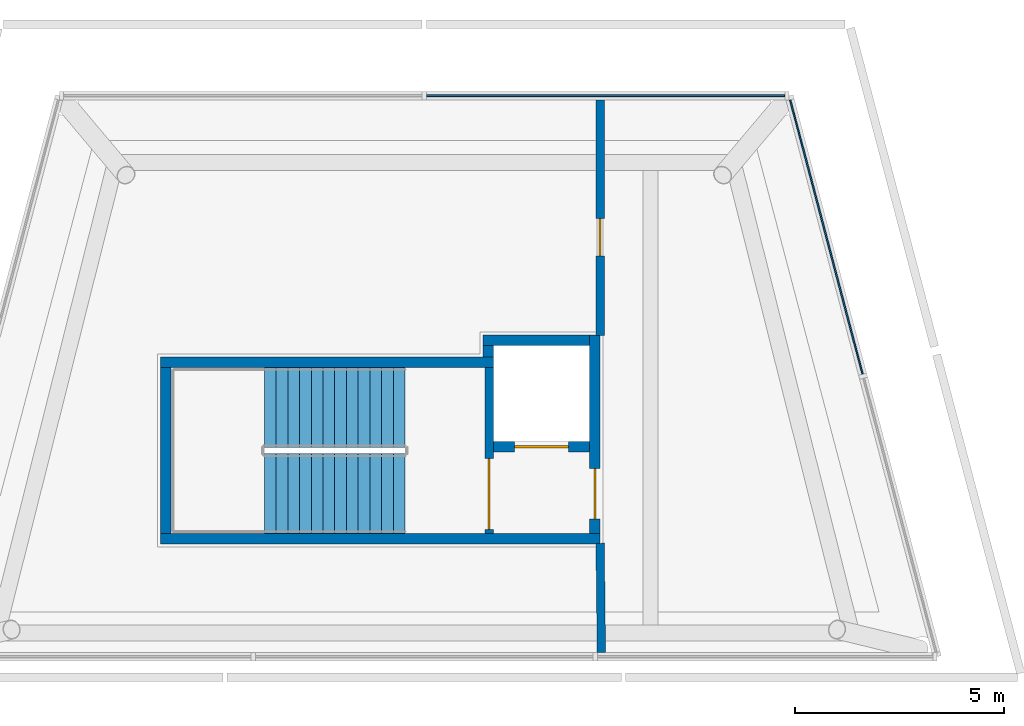
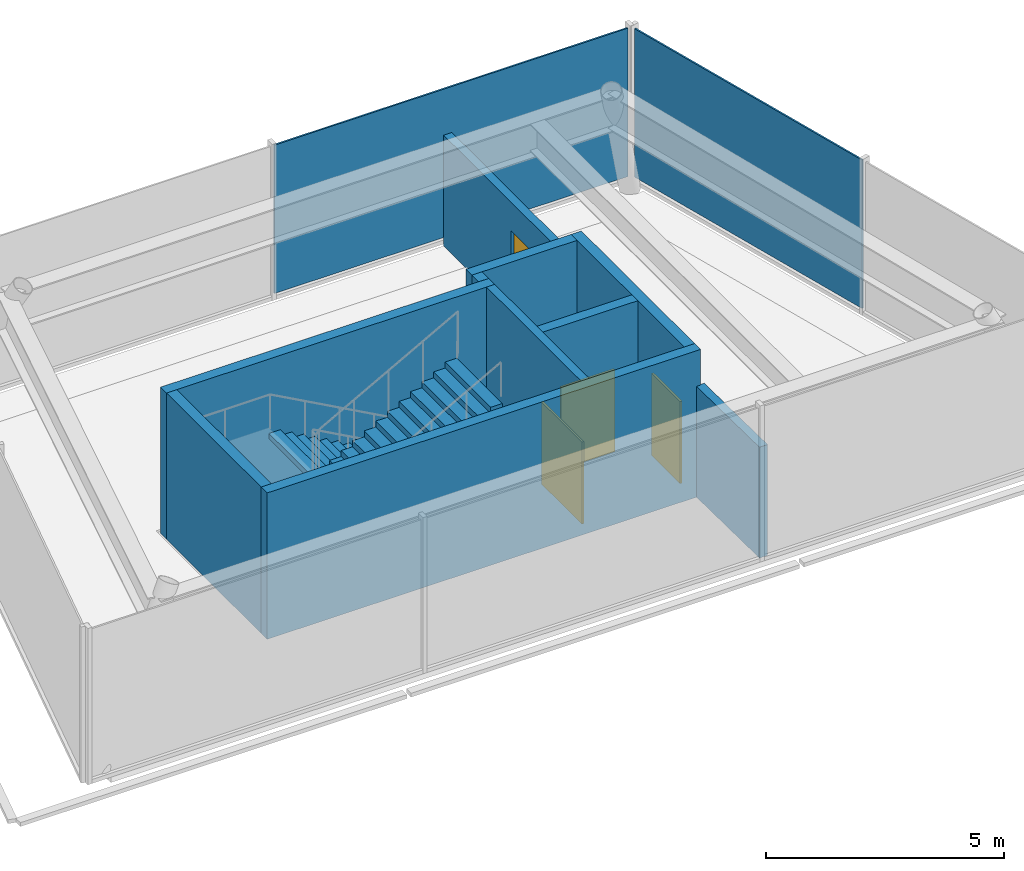
# One storey, part 2 of 3: 10 walls, 4 doors, 2 plates, 2 stair flights, 4 openings, 3 elements without a shape of their own.
"""IFC4 building model written with IfcOpenShell, lengths in metres."""

from ifc_helpers import new_model, si_unit, direction, frame, frame_2d, origin, origin_2d, place, context, subcontext, project, spatial, polyline, rectangle, outline, extrude, material, layer, layer_set, type_object, element, fill, aggregate, save


model = new_model("IFC4")

# Units and contexts
model_context = context("Model", 3, precision=1e-05, world=origin(), true_north=direction((0.0, 1.0)))
body_context = subcontext(model_context, "Body", "Model", "MODEL_VIEW")
ifc_project = project(units=[si_unit("LENGTHUNIT", "METRE"), si_unit("AREAUNIT", "SQUARE_METRE"), si_unit("VOLUMEUNIT", "CUBIC_METRE"), si_unit("PLANEANGLEUNIT", "RADIAN"), si_unit("MASSUNIT", "GRAM", prefix="KILO")], contexts=[model_context])

# Site, building, storey
site_placement = place(None, origin())
site = spatial("IfcSite", under=ifc_project, at=site_placement, CompositionType="ELEMENT")
building_placement = place(site_placement, origin())
building = spatial("IfcBuilding", under=site, at=building_placement, Name="Quipu Civic Tower", CompositionType="ELEMENT")
storey_placement = place(building_placement, frame((0.0, 0.0, 380.0)))
storey = spatial("IfcBuildingStorey", under=building, at=storey_placement, Name="L88", CompositionType="ELEMENT", Elevation=380.0)

# Curtain wall, plate
ifc_material_1 = material(Name="Insulated glass unit", Category="glass")
curtain_wall_type_1 = type_object("IfcCurtainWallType", Name="Crown glass facets CW6", PredefinedType="NOTDEFINED", material=ifc_material_1)
curtain_wall_1_placement = place(storey_placement, origin())
curtain_wall_1 = element("IfcCurtainWall", 1, at=curtain_wall_1_placement, inside=storey, type_object=curtain_wall_type_1, Name="Crown glass facets CW6 L88 run 3", PredefinedType="NOTDEFINED")
ifc_material_2 = material(Name="Insulated glass unit", Category="glass")
ifc_layer_1 = layer(ifc_material_2, 0.0400390625)
ifc_layer_set_1 = layer_set([ifc_layer_1], Name="Insulated glass unit")
plate_type_1 = type_object("IfcPlateType", Name="Glass panel CW6", PredefinedType="CURTAIN_PANEL", material=ifc_layer_set_1)
plate_1_placement = place(storey_placement, frame((4.33203125, 4.260009765625, 0.14990234375), z_axis=(0.0, 0.0, 1.0), x_axis=(-1.0, 0.0, 0.0)))
plate_1 = element("IfcPlate", 2, at=plate_1_placement, type_object=plate_type_1, Name="CW6 panel 1.1", PredefinedType="CURTAIN_PANEL", context=body_context, shape_type="SweptSolid", body=[
    extrude(rectangle(XDim=8.564208984375, YDim=0.0400390625, at=origin_2d()), origin(), (0.0, 0.0, 1.0), 3.800048828125),
])
aggregate(curtain_wall_1, [plate_1])

ifc_material_3 = material(Name="Anodised aluminium insulated panel", Category="aluminium")
curtain_wall_type_2 = type_object("IfcCurtainWallType", Name="Insulated infill wall CW6I", PredefinedType="NOTDEFINED", material=ifc_material_3)
curtain_wall_2_placement = place(storey_placement, origin())
curtain_wall_2 = element("IfcCurtainWall", 3, at=curtain_wall_2_placement, inside=storey, type_object=curtain_wall_type_2, Name="Insulated infill wall CW6I L88 run 2", PredefinedType="NOTDEFINED")
ifc_material_4 = material(Name="Anodised aluminium insulated panel", Category="aluminium")
ifc_layer_2 = layer(ifc_material_4, 0.0400390625)
ifc_layer_set_2 = layer_set([ifc_layer_2], Name="Anodised aluminium insulated panel")
plate_type_2 = type_object("IfcPlateType", Name="Insulated panel CW6I", PredefinedType="CURTAIN_PANEL", material=ifc_layer_set_2)
plate_2_placement = place(storey_placement, frame((9.605224609375, 0.8857421875, 0.14990234375), z_axis=(0.0, 0.0, 1.0), x_axis=(-0.255322147823, 0.966856039352, 0.0)))
plate_2 = element("IfcPlate", 4, at=plate_2_placement, type_object=plate_type_2, Name="CW6I panel 2.1", PredefinedType="CURTAIN_PANEL", context=body_context, shape_type="SweptSolid", body=[
    extrude(rectangle(XDim=6.77978515625, YDim=0.0400390625, at=origin_2d()), origin(), (0.0, 0.0, 1.0), 3.800048828125),
])
aggregate(curtain_wall_2, [plate_2])

# Wall, opening, door
ifc_material_5 = material(Name="Fired clay blockwork", Category="masonry")
ifc_layer_3 = layer(ifc_material_5, 0.199951171875)
ifc_layer_set_3 = layer_set([ifc_layer_3], Name="Fired clay blockwork")
wall_type_1 = type_object("IfcWallType", Name="Blockwork wall 200", PredefinedType="SOLIDWALL", material=ifc_layer_set_3)
wall_1_placement = place(storey_placement, frame((4.199951171875, 4.159912109375, 0.0), z_axis=(0.0, 0.0, 1.0), x_axis=(0.0, -1.0, 0.0)))
wall_1 = element("IfcWall", 5, at=wall_1_placement, inside=storey, type_object=wall_type_1, Name="Partition P01", PredefinedType="SOLIDWALL", context=body_context, shape_type="SweptSolid", body=[
    extrude(rectangle(XDim=5.6298828125, YDim=0.199951171875, at=frame_2d((2.81494140625, 0.0))), origin(), (0.0, 0.0, 1.0), 2.838134765625),
])
opening_1_placement = place(wall_1_placement, frame((2.830078125, 0.0, 0.0)))
opening_1 = element("IfcOpeningElement", 6, at=opening_1_placement, cuts=wall_1, Name="Opening D001", PredefinedType="OPENING", context=body_context, shape_type="SweptSolid", body=[
    extrude(rectangle(XDim=0.89990234375, YDim=2.10009765625, at=frame_2d((0.449951171875, 1.050048828125))), frame((0.0, 0.10986328125, 0.0), z_axis=(0.0, -1.0, 0.0), x_axis=(1.0, 0.0, 0.0)), (0.0, 0.0, 1.0), 0.219970703125),
])
ifc_material_6 = material(Name="Fire rated timber door set with metal frame", Category="wood")
door_type_1 = type_object("IfcDoorType", Name="Single door 900 x 2100 FD60", OperationType="NOTDEFINED", PredefinedType="DOOR", material=ifc_material_6)
door_1_placement = place(opening_1_placement, origin())
door_1 = element("IfcDoor", 7, at=door_1_placement, inside=storey, type_object=door_type_1, Name="Door D001", OperationType="SINGLE_SWING_LEFT", OverallHeight=2.10009765625, OverallWidth=0.89990234375, PredefinedType="DOOR", context=body_context, shape_type="SweptSolid", body=[
    extrude(rectangle(XDim=0.89990234375, YDim=2.10009765625, at=frame_2d((0.449951171875, 1.050048828125))), frame((0.0, 0.02490234375, 0.0), z_axis=(0.0, -1.0, 0.0), x_axis=(1.0, 0.0, 0.0)), (0.0, 0.0, 1.0), 0.050048828125),
])
fill(opening_1, door_1)

# Wall
wall_2_placement = place(storey_placement, frame((4.199951171875, -6.429931640625, 0.0), z_axis=(0.0, 0.0, 1.0), x_axis=(0.011692371865, -0.999931641884, 0.0)))
element("IfcWall", 8, at=wall_2_placement, inside=storey, type_object=wall_type_1, Name="Partition P02", PredefinedType="SOLIDWALL", context=body_context, shape_type="SweptSolid", body=[
    extrude(rectangle(XDim=2.610107421875, YDim=0.199951171875, at=frame_2d((1.30517578125, 0.0))), origin(), (0.0, 0.0, 1.0), 2.838134765625),
])

# Wall, opening, door
ifc_material_7 = material(Name="Concrete C70/85", Category="concrete")
ifc_layer_4 = layer(ifc_material_7, 0.199951171875)
ifc_layer_set_4 = layer_set([ifc_layer_4], Name="Concrete C70/85")
wall_type_2 = type_object("IfcWallType", Name="Core wall 200", PredefinedType="SHEAR", material=ifc_layer_set_4)
wall_3_placement = place(storey_placement, frame((1.550048828125, -6.199951171875, 0.0), z_axis=(0.0, 0.0, 1.0), x_axis=(0.0, 1.0, 0.0)))
wall_3 = element("IfcWall", 9, at=wall_3_placement, inside=storey, type_object=wall_type_2, Name="Core wall", PredefinedType="SHEAR", context=body_context, shape_type="SweptSolid", body=[
    extrude(rectangle(XDim=3.969970703125, YDim=0.199951171875, at=frame_2d((1.98486328125, 0.0))), origin(), (0.0, 0.0, 1.0), 3.75),
])
opening_2_placement = place(wall_3_placement, frame((0.10009765625, 0.0, 0.0)))
opening_2 = element("IfcOpeningElement", 10, at=opening_2_placement, cuts=wall_3, Name="Opening CD-01", PredefinedType="OPENING", context=body_context, shape_type="SweptSolid", body=[
    extrude(rectangle(XDim=1.699951171875, YDim=2.10009765625, at=frame_2d((0.85009765625, 1.050048828125))), frame((0.0, 0.10986328125, 0.0), z_axis=(0.0, -1.0, 0.0), x_axis=(1.0, 0.0, 0.0)), (0.0, 0.0, 1.0), 0.219970703125),
])
ifc_material_8 = material(Name="Fire rated steel door", Category="steel")
door_type_2 = type_object("IfcDoorType", Name="Fire door FD90 double 1700 x 2100", OperationType="NOTDEFINED", PredefinedType="DOOR", material=ifc_material_8)
door_2_placement = place(opening_2_placement, origin())
door_2 = element("IfcDoor", 11, at=door_2_placement, inside=storey, type_object=door_type_2, Name="Door", OperationType="DOUBLE_DOOR_SINGLE_SWING", OverallHeight=2.10009765625, OverallWidth=1.699951171875, PredefinedType="DOOR", context=body_context, shape_type="SweptSolid", body=[
    extrude(rectangle(XDim=1.699951171875, YDim=2.10009765625, at=frame_2d((0.85009765625, 1.050048828125))), frame((0.0, 0.02490234375, 0.0), z_axis=(0.0, -1.0, 0.0), x_axis=(1.0, 0.0, 0.0)), (0.0, 0.0, 1.0), 0.050048828125),
])
fill(opening_2, door_2)

# Walls
ifc_material_9 = material(Name="Concrete C70/85", Category="concrete")
ifc_layer_5 = layer(ifc_material_9, 0.25)
ifc_layer_set_5 = layer_set([ifc_layer_5], Name="Concrete C70/85")
wall_type_3 = type_object("IfcWallType", Name="Core wall 250", PredefinedType="SHEAR", material=ifc_layer_set_5)
wall_4_placement = place(storey_placement, frame((-6.300048828125, -6.324951171875, 0.0), z_axis=(0.0, 0.0, 1.0), x_axis=(1.0, 0.0, 0.0)))
element("IfcWall", 12, at=wall_4_placement, inside=storey, type_object=wall_type_3, Name="Core wall", PredefinedType="SHEAR", context=body_context, shape_type="SweptSolid", body=[
    extrude(rectangle(XDim=10.5, YDim=0.25, at=frame_2d((5.25, 0.0))), origin(), (0.0, 0.0, 1.0), 3.75),
])
wall_5_placement = place(storey_placement, frame((-6.175048828125, -6.199951171875, 0.0), z_axis=(0.0, 0.0, 1.0), x_axis=(0.0, 1.0, 0.0)))
element("IfcWall", 13, at=wall_5_placement, inside=storey, type_object=wall_type_3, Name="Core wall", PredefinedType="SHEAR", context=body_context, shape_type="SweptSolid", body=[
    extrude(rectangle(XDim=3.969970703125, YDim=0.25, at=frame_2d((1.98486328125, 0.0))), origin(), (0.0, 0.0, 1.0), 3.75),
])

# Wall, opening, door
wall_6_placement = place(storey_placement, frame((4.074951171875, -6.199951171875, 0.0), z_axis=(0.0, 0.0, 1.0), x_axis=(0.0, 1.0, 0.0)))
wall_6 = element("IfcWall", 14, at=wall_6_placement, inside=storey, type_object=wall_type_3, Name="Core wall", PredefinedType="SHEAR", context=body_context, shape_type="SweptSolid", body=[
    extrude(rectangle(XDim=4.75, YDim=0.25, at=frame_2d((2.375, 0.0))), origin(), (0.0, 0.0, 1.0), 3.75),
])
opening_3_placement = place(wall_6_placement, frame((0.35009765625, 0.0, 0.0)))
opening_3 = element("IfcOpeningElement", 15, at=opening_3_placement, cuts=wall_6, Name="Opening CD-02", PredefinedType="OPENING", context=body_context, shape_type="SweptSolid", body=[
    extrude(rectangle(XDim=1.199951171875, YDim=2.10009765625, at=frame_2d((0.60009765625, 1.050048828125))), frame((0.0, 0.135009765625, 0.0), z_axis=(0.0, -1.0, 0.0), x_axis=(1.0, 0.0, 0.0)), (0.0, 0.0, 1.0), 0.27001953125),
])
ifc_material_10 = material(Name="Fire rated steel door", Category="steel")
door_type_3 = type_object("IfcDoorType", Name="Fire door FD90 1200 x 2100", OperationType="NOTDEFINED", PredefinedType="DOOR", material=ifc_material_10)
door_3_placement = place(opening_3_placement, origin())
door_3 = element("IfcDoor", 16, at=door_3_placement, inside=storey, type_object=door_type_3, Name="Lobby door", OperationType="SINGLE_SWING_LEFT", OverallHeight=2.10009765625, OverallWidth=1.199951171875, PredefinedType="DOOR", context=body_context, shape_type="SweptSolid", body=[
    extrude(rectangle(XDim=1.199951171875, YDim=2.10009765625, at=frame_2d((0.60009765625, 1.050048828125))), frame((0.0, 0.02490234375, 0.0), z_axis=(0.0, -1.0, 0.0), x_axis=(1.0, 0.0, 0.0)), (0.0, 0.0, 1.0), 0.050048828125),
])
fill(opening_3, door_3)

wall_7_placement = place(storey_placement, frame((1.64990234375, -4.125, 0.0), z_axis=(0.0, 0.0, 1.0), x_axis=(1.0, 0.0, 0.0)))
wall_7 = element("IfcWall", 17, at=wall_7_placement, inside=storey, type_object=wall_type_3, Name="Core wall", PredefinedType="SHEAR", context=body_context, shape_type="SweptSolid", body=[
    extrude(rectangle(XDim=2.300048828125, YDim=0.25, at=frame_2d((1.14990234375, 0.0))), origin(), (0.0, 0.0, 1.0), 3.75),
])
opening_4_placement = place(wall_7_placement, frame((0.5, 0.0, 0.0)))
opening_4 = element("IfcOpeningElement", 18, at=opening_4_placement, cuts=wall_7, Name="Opening LD-FF3", PredefinedType="OPENING", context=body_context, shape_type="SweptSolid", body=[
    extrude(rectangle(XDim=1.300048828125, YDim=2.10009765625, at=frame_2d((0.64990234375, 1.050048828125))), frame((0.0, 0.135009765625, 0.0), z_axis=(0.0, -1.0, 0.0), x_axis=(1.0, 0.0, 0.0)), (0.0, 0.0, 1.0), 0.27001953125),
])
ifc_material_11 = material(Name="Stainless steel", Category="steel")
door_type_4 = type_object("IfcDoorType", Name="Lift landing door 1300 x 2100", OperationType="DOUBLE_DOOR_SLIDING", PredefinedType="DOOR", material=ifc_material_11)
door_4_placement = place(opening_4_placement, origin())
door_4 = element("IfcDoor", 19, at=door_4_placement, inside=storey, type_object=door_type_4, Name="Landing door FF3", OperationType="DOUBLE_DOOR_SLIDING", OverallHeight=2.10009765625, OverallWidth=1.300048828125, PredefinedType="DOOR", context=body_context, shape_type="SweptSolid", body=[
    extrude(rectangle(XDim=1.300048828125, YDim=2.10009765625, at=frame_2d((0.64990234375, 1.050048828125))), frame((0.0, 0.02490234375, 0.0), z_axis=(0.0, -1.0, 0.0), x_axis=(1.0, 0.0, 0.0)), (0.0, 0.0, 1.0), 0.050048828125),
])
fill(opening_4, door_4)

# Walls
wall_8_placement = place(storey_placement, frame((-6.300048828125, -2.10498046875, 0.0), z_axis=(0.0, 0.0, 1.0), x_axis=(1.0, 0.0, 0.0)))
element("IfcWall", 20, at=wall_8_placement, inside=storey, type_object=wall_type_3, Name="Core wall", PredefinedType="SHEAR", context=body_context, shape_type="SweptSolid", body=[
    extrude(rectangle(XDim=7.949951171875, YDim=0.25, at=frame_2d((3.97509765625, 0.0))), origin(), (0.0, 0.0, 1.0), 3.75),
])
wall_9_placement = place(storey_placement, frame((1.52490234375, -1.97998046875, 0.0), z_axis=(0.0, 0.0, 1.0), x_axis=(0.0, 1.0, 0.0)))
element("IfcWall", 21, at=wall_9_placement, inside=storey, type_object=wall_type_3, Name="Core wall", PredefinedType="SHEAR", context=body_context, shape_type="SweptSolid", body=[
    extrude(rectangle(XDim=0.280029296875, YDim=0.25, at=frame_2d((0.14013671875, 0.0))), origin(), (0.0, 0.0, 1.0), 3.75),
])
wall_10_placement = place(storey_placement, frame((1.39990234375, -1.574951171875, 0.0), z_axis=(0.0, 0.0, 1.0), x_axis=(1.0, 0.0, 0.0)))
element("IfcWall", 22, at=wall_10_placement, inside=storey, type_object=wall_type_3, Name="Core wall", PredefinedType="SHEAR", context=body_context, shape_type="SweptSolid", body=[
    extrude(rectangle(XDim=2.550048828125, YDim=0.25, at=frame_2d((1.27490234375, 0.0))), origin(), (0.0, 0.0, 1.0), 3.75),
])

# Stair, stair flights
ifc_material_12 = material(Name="Concrete C40/50", Category="concrete")
stair_type = type_object("IfcStairType", Name="Half turn stair 1910", PredefinedType="HALF_TURN_STAIR", material=ifc_material_12)
stair_placement = place(storey_placement, origin())
stair = element("IfcStair", 23, at=stair_placement, inside=storey, type_object=stair_type, Name="Crown access stair", PredefinedType="HALF_TURN_STAIR")
ifc_material_13 = material(Name="Concrete C40/50", Category="concrete")
stair_flight_type = type_object("IfcStairFlightType", Name="Stair flight 1910", PredefinedType="STRAIGHT", material=ifc_material_13)
stair_flight_1_placement = place(storey_placement, frame((-0.4599609375, -3.18505859375, 0.0), z_axis=(0.0, 0.0, 1.0), x_axis=(-1.0, 0.0, 0.0)))
stair_flight_1 = element("IfcStairFlight", 24, at=stair_flight_1_placement, type_object=stair_flight_type, Name="ST-5 flight 1", NumberOfRisers=13, NumberOfTreads=12, PredefinedType="STRAIGHT", RiserHeight=0.153846154, TreadLength=0.28, context=body_context, shape_type="SweptSolid", body=[
    extrude(outline(polyline([(0.0, 0.0), (0.0, 0.15380859375), (0.280029296875, 0.15380859375), (0.280029296875, 0.3076171875), (0.56005859375, 0.3076171875), (0.56005859375, 0.46142578125), (0.840087890625, 0.46142578125), (0.840087890625, 0.615478515625), (1.1201171875, 0.615478515625), (1.1201171875, 0.769287109375), (1.39990234375, 0.769287109375), (1.39990234375, 0.923095703125), (1.679931640625, 0.923095703125), (1.679931640625, 1.076904296875), (1.9599609375, 1.076904296875), (1.9599609375, 1.230712890625), (2.239990234375, 1.230712890625), (2.239990234375, 1.384521484375), (2.52001953125, 1.384521484375), (2.52001953125, 1.53857421875), (2.800048828125, 1.53857421875), (2.800048828125, 1.6923828125), (3.080078125, 1.6923828125), (3.080078125, 1.84619140625), (3.360107421875, 1.84619140625), (3.360107421875, 2.0), (3.360107421875, 1.708984375), (0.24951171875, 0.0), (0.0, 0.0)])), frame((0.0, 0.955078125, 0.0), z_axis=(0.0, -1.0, 0.0), x_axis=(1.0, 0.0, 0.0)), (0.0, 0.0, 1.0), 1.909912109375),
])
stair_flight_2_placement = place(storey_placement, frame((-3.820068359375, -5.2451171875, 2.0), z_axis=(0.0, 0.0, 1.0), x_axis=(1.0, 0.0, 0.0)))
stair_flight_2 = element("IfcStairFlight", 25, at=stair_flight_2_placement, type_object=stair_flight_type, Name="ST-5 flight 2", NumberOfRisers=13, NumberOfTreads=12, PredefinedType="STRAIGHT", RiserHeight=0.153846154, TreadLength=0.28, context=body_context, shape_type="SweptSolid", body=[
    extrude(outline(polyline([(0.0, 0.0), (0.0, 0.15380859375), (0.280029296875, 0.15380859375), (0.280029296875, 0.3076171875), (0.56005859375, 0.3076171875), (0.56005859375, 0.46142578125), (0.840087890625, 0.46142578125), (0.840087890625, 0.615478515625), (1.1201171875, 0.615478515625), (1.1201171875, 0.769287109375), (1.39990234375, 0.769287109375), (1.39990234375, 0.923095703125), (1.679931640625, 0.923095703125), (1.679931640625, 1.076904296875), (1.9599609375, 1.076904296875), (1.9599609375, 1.230712890625), (2.239990234375, 1.230712890625), (2.239990234375, 1.384521484375), (2.52001953125, 1.384521484375), (2.52001953125, 1.53857421875), (2.800048828125, 1.53857421875), (2.800048828125, 1.6923828125), (3.080078125, 1.6923828125), (3.080078125, 1.84619140625), (3.360107421875, 1.84619140625), (3.360107421875, 2.0), (3.360107421875, 1.708984375), (0.24951171875, 0.0), (0.0, 0.0)])), frame((0.0, 0.955078125, 0.0), z_axis=(0.0, -1.0, 0.0), x_axis=(1.0, 0.0, 0.0)), (0.0, 0.0, 1.0), 1.909912109375),
])
aggregate(stair, [stair_flight_1, stair_flight_2])

save(model, "model.ifc")
